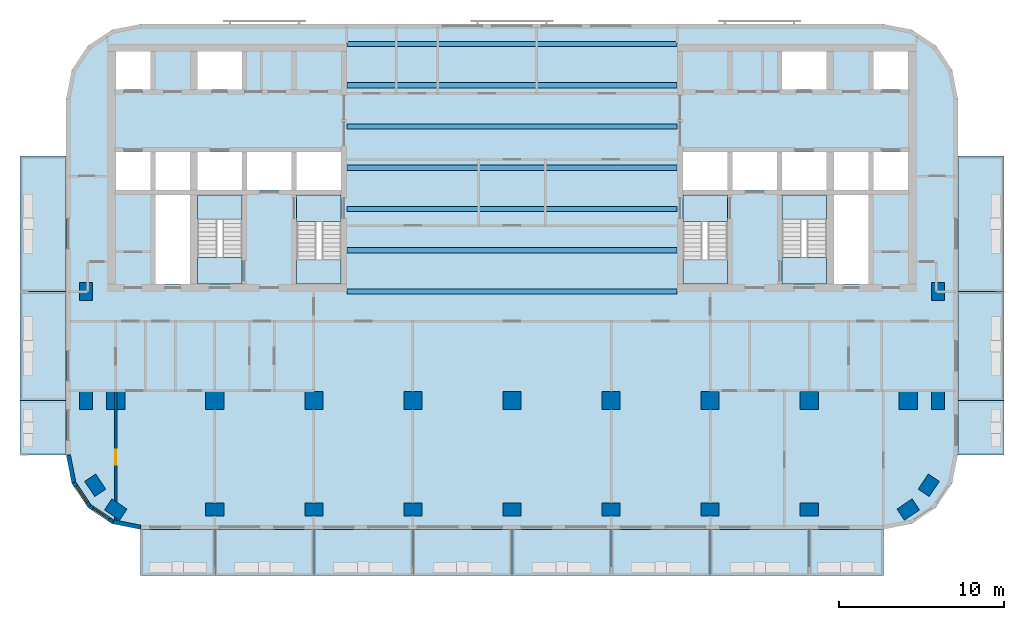
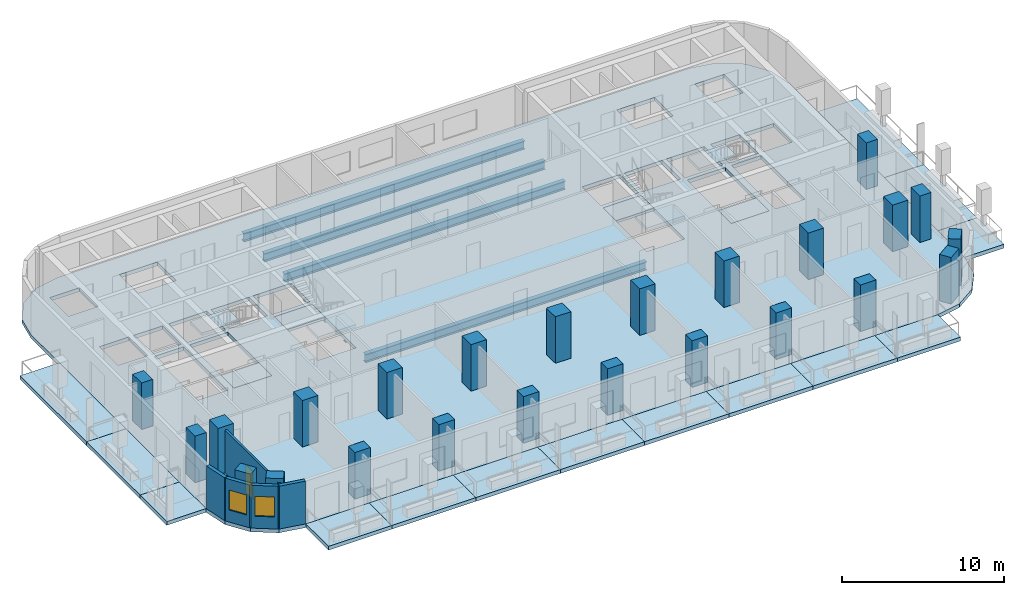
# One storey, part 1 of 11: 24 columns, 23 slabs, 7 beams, 5 walls, 2 windows, 1 door, 3 openings, 4 elements without a shape of their own.
"""IFC4 building model written with IfcOpenShell, lengths in metres."""

import ifcopenshell
import ifcopenshell.guid

model = None  # the IFC model being written
_history = None  # IfcOwnerHistory: only IFC2X3 demands one
_inside = {}  # id of a spatial element -> (the spatial element, [elements in it])
_under = {}  # id of a project, library or spatial element -> (it, [spatial elements below it])
_declared = {}  # id of a project -> (the project, [libraries it declares])
_typed = {}  # id of a type object -> (the type object, [elements of that type])
_made_of = {}  # id of a material, layer set ... -> (it, [elements and type objects made of it])


def new_model(schema):
    """Start an empty IFC model of exactly this schema.

    Asked for "IFC4X3", IfcOpenShell would pick the latest addendum, in which some entities
    have other attributes; the version numbers below select the first issue.
    IFC2X3 requires an IfcOwnerHistory on every rooted entity: one is made here for all.
    """
    global model, _history
    if schema == "IFC4X3":
        model = ifcopenshell.file(schema_version=(4, 3, 0, 0))
    else:
        model = ifcopenshell.file(schema=schema)
    _inside.clear()
    _under.clear()
    _declared.clear()
    _typed.clear()
    _made_of.clear()
    _history = None
    if model.schema == "IFC2X3":
        org = make("IfcOrganization", Name="unknown")
        user = make(
            "IfcPersonAndOrganization",
            ThePerson=make("IfcPerson", FamilyName="unknown"),
            TheOrganization=org,
        )
        app = make(
            "IfcApplication",
            ApplicationDeveloper=org,
            Version="unknown",
            ApplicationFullName="unknown",
            ApplicationIdentifier="unknown",
        )
        _history = make(
            "IfcOwnerHistory",
            OwningUser=user,
            OwningApplication=app,
            ChangeAction="ADDED",
            CreationDate=0,
        )
    return model


def make(cls, **values):
    """One entity of the class cls with the attributes given. An attribute that is None is left unset."""
    return model.create_entity(
        cls, **{name: value for name, value in values.items() if value is not None}
    )


def rooted(cls, **values):
    """An entity with a GlobalId (a new one), such as an element, a storey or a relation."""
    return make(cls, GlobalId=ifcopenshell.guid.new(), OwnerHistory=_history, **values)


def si_unit(unit_type, name, prefix=None):
    """IfcSIUnit, for example si_unit("LENGTHUNIT", "METRE", prefix="MILLI")."""
    return make("IfcSIUnit", UnitType=unit_type, Prefix=prefix, Name=name)


def assignment(units):
    """IfcUnitAssignment: the units of a project."""
    return None if units is None else make("IfcUnitAssignment", Units=units)


def point(xyz):
    """IfcCartesianPoint."""
    return None if xyz is None else make("IfcCartesianPoint", Coordinates=xyz)


def direction(xyz):
    """IfcDirection."""
    return None if xyz is None else make("IfcDirection", DirectionRatios=xyz)


def frame(location, z_axis=None, x_axis=None):
    """IfcAxis2Placement3D, a coordinate frame: its origin and axes. An axis left out is left unset."""
    return make(
        "IfcAxis2Placement3D",
        Location=point(location),
        Axis=direction(z_axis),
        RefDirection=direction(x_axis),
    )


def frame_2d(location, x_axis=None):
    """IfcAxis2Placement2D, a coordinate frame in the plane: its origin and x axis."""
    return make(
        "IfcAxis2Placement2D", Location=point(location), RefDirection=direction(x_axis)
    )


def origin():
    """The frame at (0, 0, 0) with its axes left unset."""
    return frame((0.0, 0.0, 0.0))


def origin_2d():
    """The frame at (0, 0) in the plane with its x axis left unset."""
    return frame_2d((0.0, 0.0))


def place(relative_to, where):
    """IfcLocalPlacement: puts the frame where relative to a parent placement (None: the world)."""
    return make(
        "IfcLocalPlacement", PlacementRelTo=relative_to, RelativePlacement=where
    )


def context(
    kind, dimensions, precision=None, world=None, true_north=None, identifier=None
):
    """IfcGeometricRepresentationContext, for example the 3D "Model" context."""
    return make(
        "IfcGeometricRepresentationContext",
        ContextIdentifier=identifier,
        ContextType=kind,
        CoordinateSpaceDimension=dimensions,
        Precision=precision,
        WorldCoordinateSystem=world,
        TrueNorth=true_north,
    )


def subcontext(parent, identifier, kind, view, scale=None):
    """IfcGeometricRepresentationSubContext, for example "Body" below "Model"."""
    return make(
        "IfcGeometricRepresentationSubContext",
        ContextIdentifier=identifier,
        ContextType=kind,
        ParentContext=parent,
        TargetScale=scale,
        TargetView=view,
    )


def project(units=None, contexts=None):
    """IfcProject with its units and contexts."""
    return rooted(
        "IfcProject",
        Name="project",
        RepresentationContexts=contexts,
        UnitsInContext=assignment(units),
    )


def spatial(cls, under=None, at=None, **own):
    """A site, building, storey or space (cls), placed at a placement, below another one or the project."""
    s = rooted(cls, ObjectPlacement=at, **own)
    if under is not None:
        _under.setdefault(under.id(), (under, []))[1].append(s)
    return s


def polyline(points):
    """IfcPolyline through the points."""
    return make("IfcPolyline", Points=[point(p) for p in points])


def profile(cls, at=None, kind="AREA", **sizes):
    """A parametric profile (cls). Its sizes go by their IFC names, for example OverallWidth=200.0."""
    return make(cls, ProfileType=kind, Position=at, **sizes)


def rectangle(**sizes):
    """IfcRectangleProfileDef."""
    return profile("IfcRectangleProfileDef", **sizes)


def i_section(**sizes):
    """IfcIShapeProfileDef."""
    return profile("IfcIShapeProfileDef", **sizes)


def outline(outer, holes=None, kind="AREA"):
    """IfcArbitraryClosedProfileDef: a profile drawn as a closed curve; with holes, ...WithVoids."""
    if holes is None:
        return make("IfcArbitraryClosedProfileDef", ProfileType=kind, OuterCurve=outer)
    return make(
        "IfcArbitraryProfileDefWithVoids",
        ProfileType=kind,
        OuterCurve=outer,
        InnerCurves=holes,
    )


def extrude(swept, where, along, depth):
    """IfcExtrudedAreaSolid: the profile swept, set in the frame where, extruded along a direction by depth."""
    return make(
        "IfcExtrudedAreaSolid",
        SweptArea=swept,
        Position=where,
        ExtrudedDirection=direction(along),
        Depth=depth,
    )


def shape(context_of_items, identifier, shape_type, items):
    """IfcShapeRepresentation: the items that make up one representation, for example the "Body"."""
    return make(
        "IfcShapeRepresentation",
        ContextOfItems=context_of_items,
        RepresentationIdentifier=identifier,
        RepresentationType=shape_type,
        Items=items,
    )


def material(Name=None, Category=None):
    """IfcMaterial."""
    return make("IfcMaterial", Name=Name, Category=Category)


def layer(
    of_material, thickness, ventilated=None, Name=None, Category=None, Priority=None
):
    """IfcMaterialLayer: one layer of a wall or slab, of a material (None: an air gap)."""
    return make(
        "IfcMaterialLayer",
        Material=of_material,
        LayerThickness=thickness,
        IsVentilated=ventilated,
        Name=Name,
        Category=Category,
        Priority=Priority,
    )


def layer_set(layers, Name=None):
    """IfcMaterialLayerSet."""
    return make("IfcMaterialLayerSet", MaterialLayers=layers, LayerSetName=Name)


def material_profile(
    of_material, cross_section, Name=None, Category=None, Priority=None
):
    """IfcMaterialProfile: a cross section and its material."""
    return make(
        "IfcMaterialProfile",
        Name=Name,
        Material=of_material,
        Profile=cross_section,
        Priority=Priority,
        Category=Category,
    )


def profile_set(profiles, Name=None, composite=None):
    """IfcMaterialProfileSet."""
    return make(
        "IfcMaterialProfileSet",
        Name=Name,
        MaterialProfiles=profiles,
        CompositeProfile=composite,
    )


def made_of(thing, what):
    """Note that an element or type object is made of a material, layer set ...; save() writes the relation."""
    if what is not None:
        _made_of.setdefault(what.id(), (what, []))[1].append(thing)
    return thing


def type_object(cls, material=None, **own):
    """A type object (cls), such as IfcWallType, which elements share."""
    return made_of(rooted(cls, **own), material)


def element(
    cls,
    number,
    at=None,
    inside=None,
    cuts=None,
    type_object=None,
    material=None,
    context=None,
    identifier="Body",
    shape_type=None,
    held_by="IfcProductDefinitionShape",
    body=None,
    shapes=None,
    **own,
):
    """One element of the class cls, such as IfcWall. Its Tag is "e" and its number.

    at: its placement. inside: the storey or other place that contains it. cuts: it is an
    opening in that element (IfcRelVoidsElement). A single representation is given by context,
    identifier, shape_type and body (its items); several are given by shapes. held_by: the class
    of the entity that holds the representations. save() writes the other relations.
    """
    e = rooted(cls, Tag="e%d" % number, ObjectPlacement=at, **own)
    if body is not None:
        shapes = [shape(context, identifier, shape_type, body)]
    if shapes is not None:
        e.Representation = make(held_by, Representations=shapes)
    if inside is not None:
        _inside.setdefault(inside.id(), (inside, []))[1].append(e)
    if cuts is not None:
        rooted(
            "IfcRelVoidsElement", RelatingBuildingElement=cuts, RelatedOpeningElement=e
        )
    if type_object is not None:
        _typed.setdefault(type_object.id(), (type_object, []))[1].append(e)
    return made_of(e, material)


def fill(opening, filler):
    """IfcRelFillsElement: the door or window that sits in an opening."""
    return rooted(
        "IfcRelFillsElement",
        RelatingOpeningElement=opening,
        RelatedBuildingElement=filler,
    )


def aggregate(whole, parts):
    """IfcRelAggregates: a whole, such as a stair, and the parts it consists of."""
    return rooted("IfcRelAggregates", RelatingObject=whole, RelatedObjects=parts)


def save(model, path):
    """Write the relations noted so far, then the file.

    IfcRelAggregates (storeys below a building ...), IfcRelContainedInSpatialStructure (elements
    in a storey), IfcRelDefinesByType, IfcRelAssociatesMaterial and IfcRelDeclares: one each for
    every whole, place, type object, material and project.
    """
    for whole, parts in _under.values():
        aggregate(whole, parts)
    for where, things in _inside.values():
        rooted(
            "IfcRelContainedInSpatialStructure",
            RelatedElements=things,
            RelatingStructure=where,
        )
    for kind, things in _typed.values():
        rooted("IfcRelDefinesByType", RelatedObjects=things, RelatingType=kind)
    for what, things in _made_of.values():
        rooted("IfcRelAssociatesMaterial", RelatedObjects=things, RelatingMaterial=what)
    for by, libraries in _declared.values():
        rooted("IfcRelDeclares", RelatingContext=by, RelatedDefinitions=libraries)
    model.write(path)


model = new_model("IFC4")

# Units and contexts
model_context = context("Model", 3, precision=1e-05, world=origin(), true_north=direction((0.0, 1.0)))
body_context = subcontext(model_context, "Body", "Model", "MODEL_VIEW")
ifc_project = project(units=[si_unit("LENGTHUNIT", "METRE"), si_unit("AREAUNIT", "SQUARE_METRE"), si_unit("VOLUMEUNIT", "CUBIC_METRE"), si_unit("PLANEANGLEUNIT", "RADIAN"), si_unit("MASSUNIT", "GRAM", prefix="KILO")], contexts=[model_context])

# Site, building, storey
site_placement = place(None, origin())
site = spatial("IfcSite", under=ifc_project, at=site_placement, CompositionType="ELEMENT")
building_placement = place(site_placement, origin())
building = spatial("IfcBuilding", under=site, at=building_placement, Name="Torana Hotel and Residences", CompositionType="ELEMENT")
storey_placement = place(building_placement, frame((0.0, 0.0, 218.60009765625)))
storey = spatial("IfcBuildingStorey", under=building, at=storey_placement, Name="L57", CompositionType="ELEMENT", Elevation=218.60009765625)

# Columns
ifc_material_1 = material(Name="Concrete C60/75", Category="concrete")
ifc_material_profile_1 = material_profile(ifc_material_1, rectangle(XDim=1.10009765625, YDim=1.10009765625, at=origin_2d()), Name="RC 1100x1100")
ifc_profile_set_1 = profile_set([ifc_material_profile_1], Name="Concrete C60/75")
column_type_1 = type_object("IfcColumnType", Name="COLUMN RC 1100x1100 C60/75", PredefinedType="COLUMN", material=ifc_profile_set_1)
for number, where, z_axis, x_axis, name in (
    (1, (-24.0, -21.60009765625, 0.0), (0.0, 0.0, 1.0), (1.0, 0.0, 0.0), "Column L57"),
    (2, (-18.0, -21.60009765625, 0.0), (0.0, 0.0, 1.0), (1.0, 0.0, 0.0), "Column L57"),
    (3, (-12.0, -21.60009765625, 0.0), (0.0, 0.0, 1.0), (1.0, 0.0, 0.0), "Column L57"),
    (4, (-6.0, -21.60009765625, 0.0), (0.0, 0.0, 1.0), (1.0, 0.0, 0.0), "Column L57"),
    (5, (0.0, -21.60009765625, 0.0), (0.0, 0.0, 1.0), (1.0, 0.0, 0.0), "Column L57"),
    (6, (6.0, -21.60009765625, 0.0), (0.0, 0.0, 1.0), (1.0, 0.0, 0.0), "Column L57"),
    (7, (12.0, -21.60009765625, 0.0), (0.0, 0.0, 1.0), (1.0, 0.0, 0.0), "Column L57"),
    (8, (18.0, -21.60009765625, 0.0), (0.0, 0.0, 1.0), (1.0, 0.0, 0.0), "Column L57"),
    (9, (24.0, -21.60009765625, 0.0), (0.0, 0.0, 1.0), (1.0, 0.0, 0.0), "Column L57"),
):
    element("IfcColumn", number, at=place(storey_placement, frame(where, z_axis=z_axis, x_axis=x_axis)), inside=storey, type_object=column_type_1, Name=name, PredefinedType="COLUMN", context=body_context, shape_type="SweptSolid", body=[
        extrude(rectangle(XDim=1.10009765625, YDim=1.10009765625, at=origin_2d()), origin(), (0.0, 0.0, 1.0), 3.5),
    ])
ifc_material_2 = material(Name="Concrete C60/75", Category="concrete")
ifc_material_profile_2 = material_profile(ifc_material_2, rectangle(XDim=1.10009765625, YDim=0.800048828125, at=origin_2d()), Name="RC 1100x800")
ifc_profile_set_2 = profile_set([ifc_material_profile_2], Name="Concrete C60/75")
column_type_2 = type_object("IfcColumnType", Name="COLUMN RC 1100x800 C60/75", PredefinedType="COLUMN", material=ifc_profile_set_2)
for number, where, z_axis, x_axis, name in (
    (10, (-25.800048828125, -21.60009765625, 0.0), (0.0, 0.0, 1.0), (0.0, 1.0, 0.0), "Column L57"),
    (11, (-25.800048828125, -15.0, 0.0), (0.0, 0.0, 1.0), (0.0, 1.0, 0.0), "Column L57"),
    (12, (-25.243896484375, -26.73291015625, 0.0), (0.0, 0.0, 1.0), (-0.555584744817, 0.831459915646, 0.0), "Column L57"),
    (13, (-24.0, -28.199951171875, 0.0), (0.0, 0.0, 1.0), (-0.831459915646, 0.555584744817, 0.0), "Column L57"),
    (14, (-18.0, -28.199951171875, 0.0), (0.0, 0.0, 1.0), (1.0, 0.0, 0.0), "Column L57"),
    (15, (-12.0, -28.199951171875, 0.0), (0.0, 0.0, 1.0), (1.0, 0.0, 0.0), "Column L57"),
    (16, (-6.0, -28.199951171875, 0.0), (0.0, 0.0, 1.0), (1.0, 0.0, 0.0), "Column L57"),
    (17, (0.0, -28.199951171875, 0.0), (0.0, 0.0, 1.0), (1.0, 0.0, 0.0), "Column L57"),
    (18, (6.0, -28.199951171875, 0.0), (0.0, 0.0, 1.0), (1.0, 0.0, 0.0), "Column L57"),
    (19, (12.0, -28.199951171875, 0.0), (0.0, 0.0, 1.0), (1.0, 0.0, 0.0), "Column L57"),
    (20, (18.0, -28.199951171875, 0.0), (0.0, 0.0, 1.0), (1.0, 0.0, 0.0), "Column L57"),
    (21, (24.0, -28.199951171875, 0.0), (0.0, 0.0, 1.0), (0.831459915646, 0.555584744817, 0.0), "Column L57"),
    (22, (25.243896484375, -26.73291015625, 0.0), (0.0, 0.0, 1.0), (0.555584744817, 0.831459915646, 0.0), "Column L57"),
    (23, (25.800048828125, -21.60009765625, 0.0), (0.0, 0.0, 1.0), (0.0, 1.0, 0.0), "Column L57"),
    (24, (25.800048828125, -15.0, 0.0), (0.0, 0.0, 1.0), (0.0, 1.0, 0.0), "Column L57"),
):
    element("IfcColumn", number, at=place(storey_placement, frame(where, z_axis=z_axis, x_axis=x_axis)), inside=storey, type_object=column_type_2, Name=name, PredefinedType="COLUMN", context=body_context, shape_type="SweptSolid", body=[
        extrude(rectangle(XDim=1.10009765625, YDim=0.800048828125, at=origin_2d()), origin(), (0.0, 0.0, 1.0), 3.5),
    ])

# Beams
ifc_material_3 = material(Name="Steel S355", Category="steel")
ifc_material_profile_3 = material_profile(ifc_material_3, i_section(OverallWidth=0.311279296875, OverallDepth=0.6357421875, WebThickness=0.018310546875, FlangeThickness=0.031494140625, FilletRadius=0.0166015625, at=origin_2d()), Name="610x305x238 UB")
ifc_profile_set_3 = profile_set([ifc_material_profile_3], Name="Steel S355")
beam_type = type_object("IfcBeamType", Name="STEEL GIRDER 610x305x238 UB", PredefinedType="BEAM", material=ifc_profile_set_3)
for number, where, z_axis, x_axis, name in (
    (25, (-10.0, -15.0, -0.597900390625), (1.0, 0.0, 0.0), (0.0, 1.0, 0.0), "Floor girder"),
    (26, (-10.0, -12.5, -0.597900390625), (1.0, 0.0, 0.0), (0.0, 1.0, 0.0), "Floor girder"),
    (27, (-10.0, -10.0, -0.597900390625), (1.0, 0.0, 0.0), (0.0, 1.0, 0.0), "Floor girder"),
    (28, (-10.0, -7.5, -0.597900390625), (1.0, 0.0, 0.0), (0.0, 1.0, 0.0), "Floor girder"),
    (29, (-10.0, -5.0, -0.597900390625), (1.0, 0.0, 0.0), (0.0, 1.0, 0.0), "Floor girder"),
    (30, (-10.0, -2.5, -0.597900390625), (1.0, 0.0, 0.0), (0.0, 1.0, 0.0), "Floor girder"),
    (31, (-10.0, 0.0, -0.597900390625), (1.0, 0.0, 0.0), (0.0, 1.0, 0.0), "Floor girder"),
):
    element("IfcBeam", number, at=place(storey_placement, frame(where, z_axis=z_axis, x_axis=x_axis)), inside=storey, type_object=beam_type, Name=name, PredefinedType="BEAM", context=body_context, shape_type="SweptSolid", body=[
        extrude(i_section(OverallWidth=0.311279296875, OverallDepth=0.6357421875, WebThickness=0.018310546875, FlangeThickness=0.031494140625, FilletRadius=0.0166015625, at=origin_2d()), origin(), (0.0, 0.0, 1.0), 20.0),
    ])

# Slabs
ifc_material_4 = material(Name="Concrete C40/50", Category="concrete")
ifc_layer_1 = layer(ifc_material_4, 0.280029296875)
ifc_layer_set_1 = layer_set([ifc_layer_1], Name="BAL1 BALCONY SLAB 280")
slab_type_1 = type_object("IfcSlabType", Name="BAL1 BALCONY SLAB 280", PredefinedType="USERDEFINED", material=ifc_layer_set_1)
slab_1_placement = place(storey_placement, frame((0.0, 0.0, -0.280029296875)))
element("IfcSlab", 32, at=slab_1_placement, inside=storey, type_object=slab_type_1, Name="Balcony 01", ObjectType="BALCONY", PredefinedType="USERDEFINED", context=body_context, shape_type="SweptSolid", body=[
    extrude(outline(polyline([(-22.5, -32.199951171875), (-18.0, -32.199951171875), (-18.0, -29.39990234375), (-22.5, -29.39990234375), (-22.5, -32.199951171875)])), origin(), (0.0, 0.0, 1.0), 0.280029296875),
])
slab_2_placement = place(storey_placement, frame((0.0, 0.0, -0.280029296875)))
element("IfcSlab", 33, at=slab_2_placement, inside=storey, type_object=slab_type_1, Name="Balcony 02", ObjectType="BALCONY", PredefinedType="USERDEFINED", context=body_context, shape_type="SweptSolid", body=[
    extrude(outline(polyline([(-18.0, -32.199951171875), (-12.0, -32.199951171875), (-12.0, -29.39990234375), (-18.0, -29.39990234375), (-18.0, -32.199951171875)])), origin(), (0.0, 0.0, 1.0), 0.280029296875),
])
slab_3_placement = place(storey_placement, frame((0.0, 0.0, -0.280029296875)))
element("IfcSlab", 34, at=slab_3_placement, inside=storey, type_object=slab_type_1, Name="Balcony 03", ObjectType="BALCONY", PredefinedType="USERDEFINED", context=body_context, shape_type="SweptSolid", body=[
    extrude(outline(polyline([(-12.0, -32.199951171875), (-6.0, -32.199951171875), (-6.0, -29.39990234375), (-12.0, -29.39990234375), (-12.0, -32.199951171875)])), origin(), (0.0, 0.0, 1.0), 0.280029296875),
])
slab_4_placement = place(storey_placement, frame((0.0, 0.0, -0.280029296875)))
element("IfcSlab", 35, at=slab_4_placement, inside=storey, type_object=slab_type_1, Name="Balcony 04", ObjectType="BALCONY", PredefinedType="USERDEFINED", context=body_context, shape_type="SweptSolid", body=[
    extrude(outline(polyline([(-6.0, -32.199951171875), (0.0, -32.199951171875), (0.0, -29.39990234375), (-6.0, -29.39990234375), (-6.0, -32.199951171875)])), origin(), (0.0, 0.0, 1.0), 0.280029296875),
])
slab_5_placement = place(storey_placement, frame((0.0, 0.0, -0.280029296875)))
element("IfcSlab", 36, at=slab_5_placement, inside=storey, type_object=slab_type_1, Name="Balcony 05", ObjectType="BALCONY", PredefinedType="USERDEFINED", context=body_context, shape_type="SweptSolid", body=[
    extrude(outline(polyline([(0.0, -32.199951171875), (6.0, -32.199951171875), (6.0, -29.39990234375), (0.0, -29.39990234375), (0.0, -32.199951171875)])), origin(), (0.0, 0.0, 1.0), 0.280029296875),
])
slab_6_placement = place(storey_placement, frame((0.0, 0.0, -0.280029296875)))
element("IfcSlab", 37, at=slab_6_placement, inside=storey, type_object=slab_type_1, Name="Balcony 06", ObjectType="BALCONY", PredefinedType="USERDEFINED", context=body_context, shape_type="SweptSolid", body=[
    extrude(outline(polyline([(6.0, -32.199951171875), (12.0, -32.199951171875), (12.0, -29.39990234375), (6.0, -29.39990234375), (6.0, -32.199951171875)])), origin(), (0.0, 0.0, 1.0), 0.280029296875),
])
slab_7_placement = place(storey_placement, frame((0.0, 0.0, -0.280029296875)))
element("IfcSlab", 38, at=slab_7_placement, inside=storey, type_object=slab_type_1, Name="Balcony 07", ObjectType="BALCONY", PredefinedType="USERDEFINED", context=body_context, shape_type="SweptSolid", body=[
    extrude(outline(polyline([(12.0, -32.199951171875), (18.0, -32.199951171875), (18.0, -29.39990234375), (12.0, -29.39990234375), (12.0, -32.199951171875)])), origin(), (0.0, 0.0, 1.0), 0.280029296875),
])
slab_8_placement = place(storey_placement, frame((0.0, 0.0, -0.280029296875)))
element("IfcSlab", 39, at=slab_8_placement, inside=storey, type_object=slab_type_1, Name="Balcony 08", ObjectType="BALCONY", PredefinedType="USERDEFINED", context=body_context, shape_type="SweptSolid", body=[
    extrude(outline(polyline([(18.0, -32.199951171875), (22.5, -32.199951171875), (22.5, -29.39990234375), (18.0, -29.39990234375), (18.0, -32.199951171875)])), origin(), (0.0, 0.0, 1.0), 0.280029296875),
])
slab_9_placement = place(storey_placement, frame((0.0, 0.0, -0.280029296875)))
element("IfcSlab", 40, at=slab_9_placement, inside=storey, type_object=slab_type_1, Name="Balcony 09", ObjectType="BALCONY", PredefinedType="USERDEFINED", context=body_context, shape_type="SweptSolid", body=[
    extrude(outline(polyline([(-29.800048828125, -24.89990234375), (-27.0, -24.89990234375), (-27.0, -21.60009765625), (-29.800048828125, -21.60009765625), (-29.800048828125, -24.89990234375)])), origin(), (0.0, 0.0, 1.0), 0.280029296875),
])
slab_10_placement = place(storey_placement, frame((0.0, 0.0, -0.280029296875)))
element("IfcSlab", 41, at=slab_10_placement, inside=storey, type_object=slab_type_1, Name="Balcony 10", ObjectType="BALCONY", PredefinedType="USERDEFINED", context=body_context, shape_type="SweptSolid", body=[
    extrude(outline(polyline([(-29.800048828125, -21.60009765625), (-27.0, -21.60009765625), (-27.0, -15.0), (-29.800048828125, -15.0), (-29.800048828125, -21.60009765625)])), origin(), (0.0, 0.0, 1.0), 0.280029296875),
])
slab_11_placement = place(storey_placement, frame((0.0, 0.0, -0.280029296875)))
element("IfcSlab", 42, at=slab_11_placement, inside=storey, type_object=slab_type_1, Name="Balcony 11", ObjectType="BALCONY", PredefinedType="USERDEFINED", context=body_context, shape_type="SweptSolid", body=[
    extrude(outline(polyline([(-29.800048828125, -15.0), (-27.0, -15.0), (-27.0, -6.800048828125), (-29.800048828125, -6.800048828125), (-29.800048828125, -15.0)])), origin(), (0.0, 0.0, 1.0), 0.280029296875),
])
slab_12_placement = place(storey_placement, frame((0.0, 0.0, -0.280029296875)))
element("IfcSlab", 43, at=slab_12_placement, inside=storey, type_object=slab_type_1, Name="Balcony 12", ObjectType="BALCONY", PredefinedType="USERDEFINED", context=body_context, shape_type="SweptSolid", body=[
    extrude(outline(polyline([(27.0, -24.89990234375), (29.800048828125, -24.89990234375), (29.800048828125, -21.60009765625), (27.0, -21.60009765625), (27.0, -24.89990234375)])), origin(), (0.0, 0.0, 1.0), 0.280029296875),
])
slab_13_placement = place(storey_placement, frame((0.0, 0.0, -0.280029296875)))
element("IfcSlab", 44, at=slab_13_placement, inside=storey, type_object=slab_type_1, Name="Balcony 13", ObjectType="BALCONY", PredefinedType="USERDEFINED", context=body_context, shape_type="SweptSolid", body=[
    extrude(outline(polyline([(27.0, -21.60009765625), (29.800048828125, -21.60009765625), (29.800048828125, -15.0), (27.0, -15.0), (27.0, -21.60009765625)])), origin(), (0.0, 0.0, 1.0), 0.280029296875),
])
slab_14_placement = place(storey_placement, frame((0.0, 0.0, -0.280029296875)))
element("IfcSlab", 45, at=slab_14_placement, inside=storey, type_object=slab_type_1, Name="Balcony 14", ObjectType="BALCONY", PredefinedType="USERDEFINED", context=body_context, shape_type="SweptSolid", body=[
    extrude(outline(polyline([(27.0, -15.0), (29.800048828125, -15.0), (29.800048828125, -6.800048828125), (27.0, -6.800048828125), (27.0, -15.0)])), origin(), (0.0, 0.0, 1.0), 0.280029296875),
])
ifc_material_5 = material(Name="Concrete C40/50", Category="concrete")
ifc_layer_2 = layer(ifc_material_5, 0.280029296875)
ifc_layer_set_2 = layer_set([ifc_layer_2], Name="FLOOR SLAB PT 280")
slab_type_2 = type_object("IfcSlabType", Name="FLOOR SLAB PT 280", PredefinedType="FLOOR", material=ifc_layer_set_2)
slab_15_placement = place(storey_placement, frame((0.0, 0.0, -0.280029296875)))
element("IfcSlab", 46, at=slab_15_placement, inside=storey, type_object=slab_type_2, Name="Floor slab", PredefinedType="FLOOR", context=body_context, shape_type="SweptSolid", body=[
    extrude(outline(polyline([(27.0, -3.300048828125), (26.657470703125, -1.577880859375), (25.681884765625, -0.117919921875), (24.22216796875, 0.857421875), (22.5, 1.199951171875), (-22.5, 1.199951171875), (-24.22216796875, 0.857421875), (-25.681884765625, -0.117919921875), (-26.657470703125, -1.577880859375), (-27.0, -3.300048828125), (-27.0, -24.89990234375), (-26.657470703125, -26.6220703125), (-25.681884765625, -28.08203125), (-24.22216796875, -29.0576171875), (-22.5, -29.39990234375), (22.5, -29.39990234375), (24.22216796875, -29.0576171875), (25.681884765625, -28.08203125), (26.657470703125, -26.6220703125), (27.0, -24.89990234375), (27.0, -3.300048828125)]), holes=[polyline([(-13.050048828125, -14.550048828125), (-10.35009765625, -14.550048828125), (-10.35009765625, -9.14990234375), (-13.050048828125, -9.14990234375), (-13.050048828125, -14.550048828125)]), polyline([(-19.050048828125, -14.550048828125), (-16.35009765625, -14.550048828125), (-16.35009765625, -9.14990234375), (-19.050048828125, -9.14990234375), (-19.050048828125, -14.550048828125)]), polyline([(-19.050048828125, -2.75), (-16.35009765625, -2.75), (-16.35009765625, -0.449951171875), (-19.050048828125, -0.449951171875), (-19.050048828125, -2.75)]), polyline([(-21.60009765625, -8.85009765625), (-19.5, -8.85009765625), (-19.5, -6.550048828125), (-21.60009765625, -6.550048828125), (-21.60009765625, -8.85009765625)]), polyline([(-24.0, -2.75), (-21.89990234375, -2.75), (-21.89990234375, -0.449951171875), (-24.0, -0.449951171875), (-24.0, -2.75)]), polyline([(-24.0, -8.85009765625), (-21.89990234375, -8.85009765625), (-21.89990234375, -6.550048828125), (-24.0, -6.550048828125), (-24.0, -8.85009765625)]), polyline([(-13.050048828125, -8.85009765625), (-10.35009765625, -8.85009765625), (-10.35009765625, -6.550048828125), (-13.050048828125, -6.550048828125), (-13.050048828125, -8.85009765625)]), polyline([(-16.050048828125, -8.85009765625), (-13.35009765625, -8.85009765625), (-13.35009765625, -6.550048828125), (-16.050048828125, -6.550048828125), (-16.050048828125, -8.85009765625)]), polyline([(-19.050048828125, -8.85009765625), (-16.35009765625, -8.85009765625), (-16.35009765625, -6.550048828125), (-19.050048828125, -6.550048828125), (-19.050048828125, -8.85009765625)]), polyline([(-21.60009765625, -14.550048828125), (-19.5, -14.550048828125), (-19.5, -9.14990234375), (-21.60009765625, -9.14990234375), (-21.60009765625, -14.550048828125)]), polyline([(10.35009765625, -14.550048828125), (13.050048828125, -14.550048828125), (13.050048828125, -9.14990234375), (10.35009765625, -9.14990234375), (10.35009765625, -14.550048828125)]), polyline([(16.35009765625, -14.550048828125), (19.050048828125, -14.550048828125), (19.050048828125, -9.14990234375), (16.35009765625, -9.14990234375), (16.35009765625, -14.550048828125)]), polyline([(16.35009765625, -2.75), (19.050048828125, -2.75), (19.050048828125, -0.449951171875), (16.35009765625, -0.449951171875), (16.35009765625, -2.75)]), polyline([(19.5, -8.85009765625), (21.60009765625, -8.85009765625), (21.60009765625, -6.550048828125), (19.5, -6.550048828125), (19.5, -8.85009765625)]), polyline([(21.89990234375, -2.75), (24.0, -2.75), (24.0, -0.449951171875), (21.89990234375, -0.449951171875), (21.89990234375, -2.75)]), polyline([(21.89990234375, -8.85009765625), (24.0, -8.85009765625), (24.0, -6.550048828125), (21.89990234375, -6.550048828125), (21.89990234375, -8.85009765625)]), polyline([(10.35009765625, -8.85009765625), (13.050048828125, -8.85009765625), (13.050048828125, -6.550048828125), (10.35009765625, -6.550048828125), (10.35009765625, -8.85009765625)]), polyline([(13.35009765625, -8.85009765625), (16.050048828125, -8.85009765625), (16.050048828125, -6.550048828125), (13.35009765625, -6.550048828125), (13.35009765625, -8.85009765625)]), polyline([(16.35009765625, -8.85009765625), (19.050048828125, -8.85009765625), (19.050048828125, -6.550048828125), (16.35009765625, -6.550048828125), (16.35009765625, -8.85009765625)]), polyline([(19.5, -14.550048828125), (21.60009765625, -14.550048828125), (21.60009765625, -9.14990234375), (19.5, -9.14990234375), (19.5, -14.550048828125)])]), origin(), (0.0, 0.0, 1.0), 0.280029296875),
])

# Stair, slabs
ifc_material_6 = material(Name="Concrete C40/50 precast", Category="concrete")
stair_type_1 = type_object("IfcStairType", Name="STAIR ST1 HALF TURN 1200", PredefinedType="HALF_TURN_STAIR", material=ifc_material_6)
stair_1_placement = place(storey_placement, origin())
stair_1 = element("IfcStair", 47, at=stair_1_placement, inside=storey, type_object=stair_type_1, Name="Stair ST1 L57", PredefinedType="HALF_TURN_STAIR")
ifc_material_7 = material(Name="Concrete C40/50 precast", Category="concrete")
ifc_layer_3 = layer(ifc_material_7, 0.199951171875)
ifc_layer_set_3 = layer_set([ifc_layer_3], Name="STAIR LANDING 200")
slab_type_3 = type_object("IfcSlabType", Name="STAIR LANDING 200", PredefinedType="LANDING", material=ifc_layer_set_3)
slab_16_placement = place(storey_placement, frame((0.0, 0.0, 1.5498046875)))
slab_16 = element("IfcSlab", 48, at=slab_16_placement, type_object=slab_type_3, Name="ST1 landing 1", PredefinedType="LANDING", context=body_context, shape_type="SweptSolid", body=[
    extrude(outline(polyline([(-13.050048828125, -14.550048828125), (-10.35009765625, -14.550048828125), (-10.35009765625, -13.090087890625), (-13.050048828125, -13.090087890625), (-13.050048828125, -14.550048828125)])), origin(), (0.0, 0.0, 1.0), 0.2001953125),
])
slab_17_placement = place(storey_placement, frame((0.0, 0.0, -0.2001953125)))
slab_17 = element("IfcSlab", 49, at=slab_17_placement, type_object=slab_type_3, Name="ST1 landing 2", PredefinedType="LANDING", context=body_context, shape_type="SweptSolid", body=[
    extrude(outline(polyline([(-13.050048828125, -10.75), (-10.35009765625, -10.75), (-10.35009765625, -9.14990234375), (-13.050048828125, -9.14990234375), (-13.050048828125, -10.75)])), origin(), (0.0, 0.0, 1.0), 0.2001953125),
])
aggregate(stair_1, [slab_16, slab_17])

ifc_material_8 = material(Name="Concrete C40/50 precast", Category="concrete")
stair_type_2 = type_object("IfcStairType", Name="STAIR ST2 HALF TURN 1200", PredefinedType="HALF_TURN_STAIR", material=ifc_material_8)
stair_2_placement = place(storey_placement, origin())
stair_2 = element("IfcStair", 50, at=stair_2_placement, inside=storey, type_object=stair_type_2, Name="Stair ST2 L57", PredefinedType="HALF_TURN_STAIR")
slab_18_placement = place(storey_placement, frame((0.0, 0.0, 1.5498046875)))
slab_18 = element("IfcSlab", 51, at=slab_18_placement, type_object=slab_type_3, Name="ST2 landing 1", PredefinedType="LANDING", context=body_context, shape_type="SweptSolid", body=[
    extrude(outline(polyline([(-19.050048828125, -10.610107421875), (-16.35009765625, -10.610107421875), (-16.35009765625, -9.14990234375), (-19.050048828125, -9.14990234375), (-19.050048828125, -10.610107421875)])), origin(), (0.0, 0.0, 1.0), 0.2001953125),
])
slab_19_placement = place(storey_placement, frame((0.0, 0.0, -0.2001953125)))
slab_19 = element("IfcSlab", 52, at=slab_19_placement, type_object=slab_type_3, Name="ST2 landing 2", PredefinedType="LANDING", context=body_context, shape_type="SweptSolid", body=[
    extrude(outline(polyline([(-19.050048828125, -14.550048828125), (-16.35009765625, -14.550048828125), (-16.35009765625, -12.949951171875), (-19.050048828125, -12.949951171875), (-19.050048828125, -14.550048828125)])), origin(), (0.0, 0.0, 1.0), 0.2001953125),
])
aggregate(stair_2, [slab_18, slab_19])

ifc_material_9 = material(Name="Concrete C40/50 precast", Category="concrete")
stair_type_3 = type_object("IfcStairType", Name="STAIR ST3 HALF TURN 1200", PredefinedType="HALF_TURN_STAIR", material=ifc_material_9)
stair_3_placement = place(storey_placement, origin())
stair_3 = element("IfcStair", 53, at=stair_3_placement, inside=storey, type_object=stair_type_3, Name="Stair ST3 L57", PredefinedType="HALF_TURN_STAIR")
slab_20_placement = place(storey_placement, frame((0.0, 0.0, 1.5498046875)))
slab_20 = element("IfcSlab", 54, at=slab_20_placement, type_object=slab_type_3, Name="ST3 landing 1", PredefinedType="LANDING", context=body_context, shape_type="SweptSolid", body=[
    extrude(outline(polyline([(10.35009765625, -14.550048828125), (13.050048828125, -14.550048828125), (13.050048828125, -13.090087890625), (10.35009765625, -13.090087890625), (10.35009765625, -14.550048828125)])), origin(), (0.0, 0.0, 1.0), 0.2001953125),
])
slab_21_placement = place(storey_placement, frame((0.0, 0.0, -0.2001953125)))
slab_21 = element("IfcSlab", 55, at=slab_21_placement, type_object=slab_type_3, Name="ST3 landing 2", PredefinedType="LANDING", context=body_context, shape_type="SweptSolid", body=[
    extrude(outline(polyline([(10.35009765625, -10.75), (13.050048828125, -10.75), (13.050048828125, -9.14990234375), (10.35009765625, -9.14990234375), (10.35009765625, -10.75)])), origin(), (0.0, 0.0, 1.0), 0.2001953125),
])
aggregate(stair_3, [slab_20, slab_21])

ifc_material_10 = material(Name="Concrete C40/50 precast", Category="concrete")
stair_type_4 = type_object("IfcStairType", Name="STAIR ST4 HALF TURN 1200", PredefinedType="HALF_TURN_STAIR", material=ifc_material_10)
stair_4_placement = place(storey_placement, origin())
stair_4 = element("IfcStair", 56, at=stair_4_placement, inside=storey, type_object=stair_type_4, Name="Stair ST4 L57", PredefinedType="HALF_TURN_STAIR")
slab_22_placement = place(storey_placement, frame((0.0, 0.0, 1.5498046875)))
slab_22 = element("IfcSlab", 57, at=slab_22_placement, type_object=slab_type_3, Name="ST4 landing 1", PredefinedType="LANDING", context=body_context, shape_type="SweptSolid", body=[
    extrude(outline(polyline([(16.35009765625, -10.610107421875), (19.050048828125, -10.610107421875), (19.050048828125, -9.14990234375), (16.35009765625, -9.14990234375), (16.35009765625, -10.610107421875)])), origin(), (0.0, 0.0, 1.0), 0.2001953125),
])
slab_23_placement = place(storey_placement, frame((0.0, 0.0, -0.2001953125)))
slab_23 = element("IfcSlab", 58, at=slab_23_placement, type_object=slab_type_3, Name="ST4 landing 2", PredefinedType="LANDING", context=body_context, shape_type="SweptSolid", body=[
    extrude(outline(polyline([(16.35009765625, -14.550048828125), (19.050048828125, -14.550048828125), (19.050048828125, -12.949951171875), (16.35009765625, -12.949951171875), (16.35009765625, -14.550048828125)])), origin(), (0.0, 0.0, 1.0), 0.2001953125),
])
aggregate(stair_4, [slab_22, slab_23])

# Wall
ifc_material_11 = material(Name="Black aluminium composite panel", Category="aluminium")
ifc_layer_4 = layer(ifc_material_11, 0.00390625, Name="Cladding", Category="cladding")
ifc_material_12 = material(Name="Ventilated air cavity")
ifc_layer_5 = layer(ifc_material_12, 0.0400390625, Name="Ventilated cavity", Category="cavity")
ifc_material_13 = material(Name="Mineral wool insulation")
ifc_layer_6 = layer(ifc_material_13, 0.090087890625, Name="Insulation", Category="insulation")
ifc_material_14 = material(Name="Steel S280GD", Category="steel")
ifc_layer_7 = layer(ifc_material_14, 0.092041015625, Name="Steel stud frame", Category="structure")
ifc_material_15 = material(Name="Fire rated plasterboard")
ifc_layer_8 = layer(ifc_material_15, 0.011962890625, Name="Inner board", Category="finish")
ifc_layer_9 = layer(ifc_material_15, 0.011962890625, Name="Second board", Category="finish")
ifc_layer_set_4 = layer_set([ifc_layer_4, ifc_layer_5, ifc_layer_6, ifc_layer_7, ifc_layer_8, ifc_layer_9], Name="EW1 EXTERNAL WALL BLACK METAL CLAD 250")
wall_type_1 = type_object("IfcWallType", Name="EW1 EXTERNAL WALL BLACK METAL CLAD 250", PredefinedType="SOLIDWALL", material=ifc_layer_set_4)
wall_1_placement = place(storey_placement, frame((-26.87255859375, -24.89990234375, 0.0), z_axis=(0.0, 0.0, 1.0), x_axis=(0.195026884138, -0.980797896849, 0.0)))
element("IfcWall", 59, at=wall_1_placement, inside=storey, type_object=wall_type_1, Name="External wall L57 e0.10", PredefinedType="SOLIDWALL", context=body_context, shape_type="SweptSolid", body=[
    extrude(rectangle(XDim=1.68115234375, YDim=0.25, at=frame_2d((0.840576171875, 0.0))), origin(), (0.0, 0.0, 1.0), 3.219970703125),
])

# Wall, opening, window
wall_2_placement = place(storey_placement, frame((-26.52587890625, -26.593994140625, 0.0), z_axis=(0.0, 0.0, 1.0), x_axis=(0.55555029066, -0.831482937015, 0.0)))
wall_2 = element("IfcWall", 60, at=wall_2_placement, inside=storey, type_object=wall_type_1, Name="External wall L57 e0.11", PredefinedType="SOLIDWALL", context=body_context, shape_type="SweptSolid", body=[
    extrude(rectangle(XDim=1.65625, YDim=0.25, at=frame_2d((0.828125, 0.0))), origin(), (0.0, 0.0, 1.0), 3.219970703125),
])
opening_1_placement = place(wall_2_placement, frame((0.228271484375, 0.0, 0.89990234375)))
opening_1 = element("IfcOpeningElement", 61, at=opening_1_placement, cuts=wall_2, Name="Opening W5", PredefinedType="OPENING", context=body_context, shape_type="SweptSolid", body=[
    extrude(rectangle(XDim=1.199951171875, YDim=1.5, at=frame_2d((0.60009765625, 0.75))), frame((0.0, 0.135009765625, 0.0), z_axis=(0.0, -1.0, 0.0), x_axis=(1.0, 0.0, 0.0)), (0.0, 0.0, 1.0), 0.27001953125),
])
ifc_material_16 = material(Name="Dark glass in black aluminium frame", Category="aluminium")
window_type = type_object("IfcWindowType", Name="W5 CORNER FACET WINDOW 1200x1500", PartitioningType="SINGLE_PANEL", PredefinedType="WINDOW", material=ifc_material_16)
window_1_placement = place(opening_1_placement, origin())
window_1 = element("IfcWindow", 62, at=window_1_placement, inside=storey, type_object=window_type, Name="Window L57 e0.11", OverallHeight=1.5, OverallWidth=1.199951171875, PartitioningType="SINGLE_PANEL", PredefinedType="WINDOW", context=body_context, shape_type="SweptSolid", body=[
    extrude(rectangle(XDim=1.199951171875, YDim=1.5, at=frame_2d((0.60009765625, 0.75))), frame((0.0, 0.030029296875, 0.0), z_axis=(0.0, -1.0, 0.0), x_axis=(1.0, 0.0, 0.0)), (0.0, 0.0, 1.0), 0.06005859375),
])
fill(opening_1, window_1)

wall_3_placement = place(storey_placement, frame((-25.5712890625, -28.005615234375, 0.0), z_axis=(0.0, 0.0, 1.0), x_axis=(0.831482937015, -0.55555029066, 0.0)))
wall_3 = element("IfcWall", 63, at=wall_3_placement, inside=storey, type_object=wall_type_1, Name="External wall L57 e0.12", PredefinedType="SOLIDWALL", context=body_context, shape_type="SweptSolid", body=[
    extrude(rectangle(XDim=1.65625, YDim=0.25, at=frame_2d((0.828125, 0.0))), origin(), (0.0, 0.0, 1.0), 3.219970703125),
])
opening_2_placement = place(wall_3_placement, frame((0.228271484375, 0.0, 0.89990234375)))
opening_2 = element("IfcOpeningElement", 64, at=opening_2_placement, cuts=wall_3, Name="Opening W5", PredefinedType="OPENING", context=body_context, shape_type="SweptSolid", body=[
    extrude(rectangle(XDim=1.199951171875, YDim=1.5, at=frame_2d((0.60009765625, 0.75))), frame((0.0, 0.135009765625, 0.0), z_axis=(0.0, -1.0, 0.0), x_axis=(1.0, 0.0, 0.0)), (0.0, 0.0, 1.0), 0.27001953125),
])
window_2_placement = place(opening_2_placement, origin())
window_2 = element("IfcWindow", 65, at=window_2_placement, inside=storey, type_object=window_type, Name="Window L57 e0.12", OverallHeight=1.5, OverallWidth=1.199951171875, PartitioningType="SINGLE_PANEL", PredefinedType="WINDOW", context=body_context, shape_type="SweptSolid", body=[
    extrude(rectangle(XDim=1.199951171875, YDim=1.5, at=frame_2d((0.60009765625, 0.75))), frame((0.0, 0.030029296875, 0.0), z_axis=(0.0, -1.0, 0.0), x_axis=(1.0, 0.0, 0.0)), (0.0, 0.0, 1.0), 0.06005859375),
])
fill(opening_2, window_2)

# Wall
wall_4_placement = place(storey_placement, frame((-24.14892578125, -28.944580078125, 0.0), z_axis=(0.0, 0.0, 1.0), x_axis=(0.980775640221, -0.19513878023, 0.0)))
element("IfcWall", 66, at=wall_4_placement, inside=storey, type_object=wall_type_1, Name="External wall L57 e0.13", PredefinedType="SOLIDWALL", context=body_context, shape_type="SweptSolid", body=[
    extrude(rectangle(XDim=1.681396484375, YDim=0.25, at=frame_2d((0.8408203125, 0.0))), origin(), (0.0, 0.0, 1.0), 3.219970703125),
])

# Wall, opening, door
ifc_material_17 = material(Name="Gypsum plasterboard")
ifc_layer_10 = layer(ifc_material_17, 0.012451171875, Name="Plasterboard", Category="finish")
ifc_layer_11 = layer(ifc_material_17, 0.012451171875, Name="Plasterboard", Category="finish")
ifc_layer_12 = layer(ifc_material_14, 0.10009765625, Name="Steel studs with mineral wool", Category="insulation")
ifc_layer_13 = layer(ifc_material_17, 0.012451171875, Name="Plasterboard", Category="finish")
ifc_layer_14 = layer(ifc_material_17, 0.012451171875, Name="Plasterboard", Category="finish")
ifc_layer_set_5 = layer_set([ifc_layer_10, ifc_layer_11, ifc_layer_12, ifc_layer_13, ifc_layer_14], Name="PARTITION 150 PLASTERBOARD")
wall_type_2 = type_object("IfcWallType", Name="PARTITION 150 PLASTERBOARD", PredefinedType="PARTITIONING", material=ifc_layer_set_5)
wall_5_placement = place(storey_placement, frame((-24.0, -28.918212890625, 0.0), z_axis=(0.0, 0.0, 1.0), x_axis=(0.0, 1.0, 0.0)))
wall_5 = element("IfcWall", 67, at=wall_5_placement, inside=storey, type_object=wall_type_2, Name="Partition L57", PredefinedType="PARTITIONING", context=body_context, shape_type="SweptSolid", body=[
    extrude(rectangle(XDim=7.918212890625, YDim=0.14990234375, at=frame_2d((3.958984375, 0.0))), origin(), (0.0, 0.0, 1.0), 3.219970703125),
])
opening_3_placement = place(wall_5_placement, frame((3.43603515625, 0.0, 0.0)))
opening_3 = element("IfcOpeningElement", 68, at=opening_3_placement, cuts=wall_5, Name="Opening L57-57", PredefinedType="OPENING", context=body_context, shape_type="SweptSolid", body=[
    extrude(rectangle(XDim=0.89990234375, YDim=2.10009765625, at=frame_2d((0.449951171875, 1.050048828125))), frame((0.0, 0.0849609375, 0.0), z_axis=(0.0, -1.0, 0.0), x_axis=(1.0, 0.0, 0.0)), (0.0, 0.0, 1.0), 0.169921875),
])
ifc_material_18 = material(Name="Timber door, oiled ash", Category="wood")
door_type = type_object("IfcDoorType", Name="ROOM DOOR D7 900x2100", OperationType="SINGLE_SWING_LEFT", PredefinedType="DOOR", material=ifc_material_18)
door_placement = place(opening_3_placement, origin())
door = element("IfcDoor", 69, at=door_placement, inside=storey, type_object=door_type, Name="Door L57", OperationType="SINGLE_SWING_RIGHT", OverallHeight=2.10009765625, OverallWidth=0.89990234375, PredefinedType="DOOR", context=body_context, shape_type="SweptSolid", body=[
    extrude(rectangle(XDim=0.89990234375, YDim=2.10009765625, at=frame_2d((0.449951171875, 1.050048828125))), frame((0.0, 0.02490234375, 0.0), z_axis=(0.0, -1.0, 0.0), x_axis=(1.0, 0.0, 0.0)), (0.0, 0.0, 1.0), 0.050048828125),
])
fill(opening_3, door)

save(model, "model.ifc")
